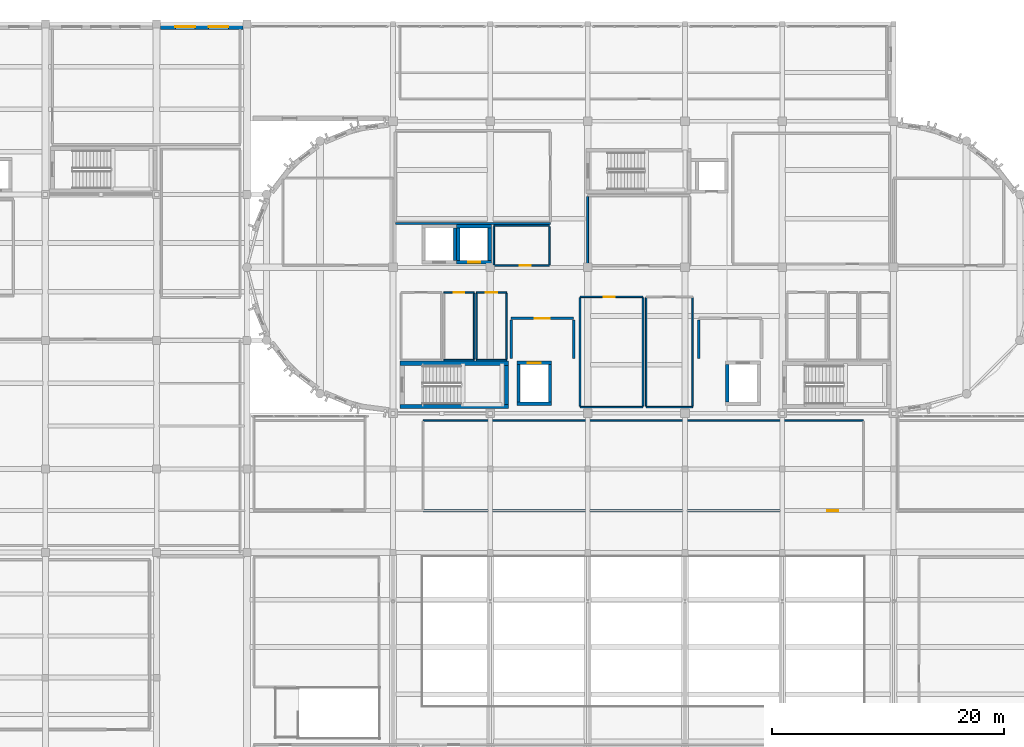
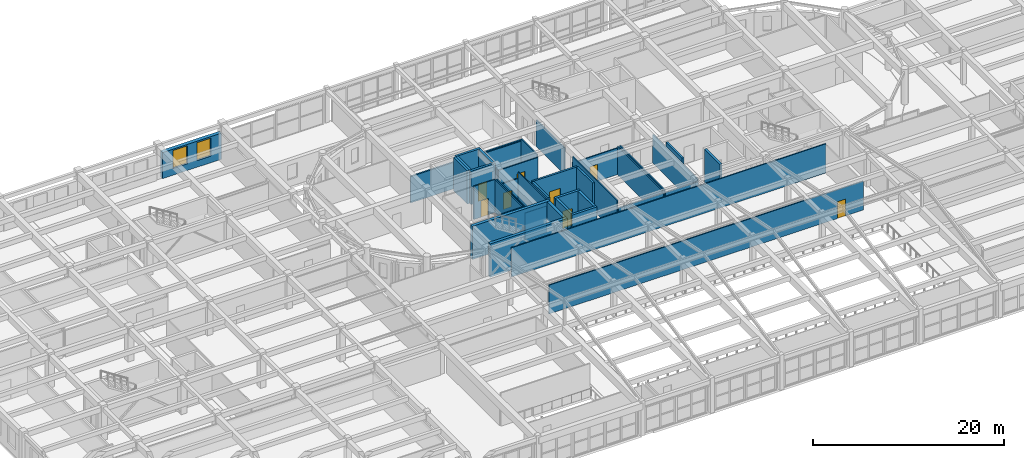
# One storey, part 70 of 91: 40 walls, 8 doors, 2 windows, 10 openings.
"""IFC4 building model written with IfcOpenShell, lengths in metres."""

import ifcopenshell
import ifcopenshell.guid

model = None  # the IFC model being written
_history = None  # IfcOwnerHistory: only IFC2X3 demands one
_inside = {}  # id of a spatial element -> (the spatial element, [elements in it])
_under = {}  # id of a project, library or spatial element -> (it, [spatial elements below it])
_declared = {}  # id of a project -> (the project, [libraries it declares])
_typed = {}  # id of a type object -> (the type object, [elements of that type])
_made_of = {}  # id of a material, layer set ... -> (it, [elements and type objects made of it])


def new_model(schema):
    """Start an empty IFC model of exactly this schema.

    Asked for "IFC4X3", IfcOpenShell would pick the latest addendum, in which some entities
    have other attributes; the version numbers below select the first issue.
    IFC2X3 requires an IfcOwnerHistory on every rooted entity: one is made here for all.
    """
    global model, _history
    if schema == "IFC4X3":
        model = ifcopenshell.file(schema_version=(4, 3, 0, 0))
    else:
        model = ifcopenshell.file(schema=schema)
    _inside.clear()
    _under.clear()
    _declared.clear()
    _typed.clear()
    _made_of.clear()
    _history = None
    if model.schema == "IFC2X3":
        org = make("IfcOrganization", Name="unknown")
        user = make(
            "IfcPersonAndOrganization",
            ThePerson=make("IfcPerson", FamilyName="unknown"),
            TheOrganization=org,
        )
        app = make(
            "IfcApplication",
            ApplicationDeveloper=org,
            Version="unknown",
            ApplicationFullName="unknown",
            ApplicationIdentifier="unknown",
        )
        _history = make(
            "IfcOwnerHistory",
            OwningUser=user,
            OwningApplication=app,
            ChangeAction="ADDED",
            CreationDate=0,
        )
    return model


def make(cls, **values):
    """One entity of the class cls with the attributes given. An attribute that is None is left unset."""
    return model.create_entity(
        cls, **{name: value for name, value in values.items() if value is not None}
    )


def rooted(cls, **values):
    """An entity with a GlobalId (a new one), such as an element, a storey or a relation."""
    return make(cls, GlobalId=ifcopenshell.guid.new(), OwnerHistory=_history, **values)


def si_unit(unit_type, name, prefix=None):
    """IfcSIUnit, for example si_unit("LENGTHUNIT", "METRE", prefix="MILLI")."""
    return make("IfcSIUnit", UnitType=unit_type, Prefix=prefix, Name=name)


def assignment(units):
    """IfcUnitAssignment: the units of a project."""
    return None if units is None else make("IfcUnitAssignment", Units=units)


def point(xyz):
    """IfcCartesianPoint."""
    return None if xyz is None else make("IfcCartesianPoint", Coordinates=xyz)


def direction(xyz):
    """IfcDirection."""
    return None if xyz is None else make("IfcDirection", DirectionRatios=xyz)


def frame(location, z_axis=None, x_axis=None):
    """IfcAxis2Placement3D, a coordinate frame: its origin and axes. An axis left out is left unset."""
    return make(
        "IfcAxis2Placement3D",
        Location=point(location),
        Axis=direction(z_axis),
        RefDirection=direction(x_axis),
    )


def frame_2d(location, x_axis=None):
    """IfcAxis2Placement2D, a coordinate frame in the plane: its origin and x axis."""
    return make(
        "IfcAxis2Placement2D", Location=point(location), RefDirection=direction(x_axis)
    )


def origin():
    """The frame at (0, 0, 0) with its axes left unset."""
    return frame((0.0, 0.0, 0.0))


def place(relative_to, where):
    """IfcLocalPlacement: puts the frame where relative to a parent placement (None: the world)."""
    return make(
        "IfcLocalPlacement", PlacementRelTo=relative_to, RelativePlacement=where
    )


def context(
    kind, dimensions, precision=None, world=None, true_north=None, identifier=None
):
    """IfcGeometricRepresentationContext, for example the 3D "Model" context."""
    return make(
        "IfcGeometricRepresentationContext",
        ContextIdentifier=identifier,
        ContextType=kind,
        CoordinateSpaceDimension=dimensions,
        Precision=precision,
        WorldCoordinateSystem=world,
        TrueNorth=true_north,
    )


def subcontext(parent, identifier, kind, view, scale=None):
    """IfcGeometricRepresentationSubContext, for example "Body" below "Model"."""
    return make(
        "IfcGeometricRepresentationSubContext",
        ContextIdentifier=identifier,
        ContextType=kind,
        ParentContext=parent,
        TargetScale=scale,
        TargetView=view,
    )


def project(units=None, contexts=None):
    """IfcProject with its units and contexts."""
    return rooted(
        "IfcProject",
        Name="project",
        RepresentationContexts=contexts,
        UnitsInContext=assignment(units),
    )


def spatial(cls, under=None, at=None, **own):
    """A site, building, storey or space (cls), placed at a placement, below another one or the project."""
    s = rooted(cls, ObjectPlacement=at, **own)
    if under is not None:
        _under.setdefault(under.id(), (under, []))[1].append(s)
    return s


def profile(cls, at=None, kind="AREA", **sizes):
    """A parametric profile (cls). Its sizes go by their IFC names, for example OverallWidth=200.0."""
    return make(cls, ProfileType=kind, Position=at, **sizes)


def rectangle(**sizes):
    """IfcRectangleProfileDef."""
    return profile("IfcRectangleProfileDef", **sizes)


def extrude(swept, where, along, depth):
    """IfcExtrudedAreaSolid: the profile swept, set in the frame where, extruded along a direction by depth."""
    return make(
        "IfcExtrudedAreaSolid",
        SweptArea=swept,
        Position=where,
        ExtrudedDirection=direction(along),
        Depth=depth,
    )


def shape(context_of_items, identifier, shape_type, items):
    """IfcShapeRepresentation: the items that make up one representation, for example the "Body"."""
    return make(
        "IfcShapeRepresentation",
        ContextOfItems=context_of_items,
        RepresentationIdentifier=identifier,
        RepresentationType=shape_type,
        Items=items,
    )


def material(Name=None, Category=None):
    """IfcMaterial."""
    return make("IfcMaterial", Name=Name, Category=Category)


def layer(
    of_material, thickness, ventilated=None, Name=None, Category=None, Priority=None
):
    """IfcMaterialLayer: one layer of a wall or slab, of a material (None: an air gap)."""
    return make(
        "IfcMaterialLayer",
        Material=of_material,
        LayerThickness=thickness,
        IsVentilated=ventilated,
        Name=Name,
        Category=Category,
        Priority=Priority,
    )


def layer_set(layers, Name=None):
    """IfcMaterialLayerSet."""
    return make("IfcMaterialLayerSet", MaterialLayers=layers, LayerSetName=Name)


def made_of(thing, what):
    """Note that an element or type object is made of a material, layer set ...; save() writes the relation."""
    if what is not None:
        _made_of.setdefault(what.id(), (what, []))[1].append(thing)
    return thing


def type_object(cls, material=None, **own):
    """A type object (cls), such as IfcWallType, which elements share."""
    return made_of(rooted(cls, **own), material)


def element(
    cls,
    number,
    at=None,
    inside=None,
    cuts=None,
    type_object=None,
    material=None,
    context=None,
    identifier="Body",
    shape_type=None,
    held_by="IfcProductDefinitionShape",
    body=None,
    shapes=None,
    **own,
):
    """One element of the class cls, such as IfcWall. Its Tag is "e" and its number.

    at: its placement. inside: the storey or other place that contains it. cuts: it is an
    opening in that element (IfcRelVoidsElement). A single representation is given by context,
    identifier, shape_type and body (its items); several are given by shapes. held_by: the class
    of the entity that holds the representations. save() writes the other relations.
    """
    e = rooted(cls, Tag="e%d" % number, ObjectPlacement=at, **own)
    if body is not None:
        shapes = [shape(context, identifier, shape_type, body)]
    if shapes is not None:
        e.Representation = make(held_by, Representations=shapes)
    if inside is not None:
        _inside.setdefault(inside.id(), (inside, []))[1].append(e)
    if cuts is not None:
        rooted(
            "IfcRelVoidsElement", RelatingBuildingElement=cuts, RelatedOpeningElement=e
        )
    if type_object is not None:
        _typed.setdefault(type_object.id(), (type_object, []))[1].append(e)
    return made_of(e, material)


def fill(opening, filler):
    """IfcRelFillsElement: the door or window that sits in an opening."""
    return rooted(
        "IfcRelFillsElement",
        RelatingOpeningElement=opening,
        RelatedBuildingElement=filler,
    )


def aggregate(whole, parts):
    """IfcRelAggregates: a whole, such as a stair, and the parts it consists of."""
    return rooted("IfcRelAggregates", RelatingObject=whole, RelatedObjects=parts)


def save(model, path):
    """Write the relations noted so far, then the file.

    IfcRelAggregates (storeys below a building ...), IfcRelContainedInSpatialStructure (elements
    in a storey), IfcRelDefinesByType, IfcRelAssociatesMaterial and IfcRelDeclares: one each for
    every whole, place, type object, material and project.
    """
    for whole, parts in _under.values():
        aggregate(whole, parts)
    for where, things in _inside.values():
        rooted(
            "IfcRelContainedInSpatialStructure",
            RelatedElements=things,
            RelatingStructure=where,
        )
    for kind, things in _typed.values():
        rooted("IfcRelDefinesByType", RelatedObjects=things, RelatingType=kind)
    for what, things in _made_of.values():
        rooted("IfcRelAssociatesMaterial", RelatedObjects=things, RelatingMaterial=what)
    for by, libraries in _declared.values():
        rooted("IfcRelDeclares", RelatingContext=by, RelatedDefinitions=libraries)
    model.write(path)


model = new_model("IFC4")

# Units and contexts
model_context = context("Model", 3, precision=1e-05, world=origin(), true_north=direction((0.0, 1.0)))
body_context = subcontext(model_context, "Body", "Model", "MODEL_VIEW")
ifc_project = project(units=[si_unit("LENGTHUNIT", "METRE"), si_unit("AREAUNIT", "SQUARE_METRE"), si_unit("VOLUMEUNIT", "CUBIC_METRE"), si_unit("PLANEANGLEUNIT", "RADIAN"), si_unit("MASSUNIT", "GRAM", prefix="KILO")], contexts=[model_context])

# Site, building, storey
site_placement = place(None, origin())
site = spatial("IfcSite", under=ifc_project, at=site_placement, CompositionType="ELEMENT")
building_placement = place(site_placement, origin())
building = spatial("IfcBuilding", under=site, at=building_placement, Name="Tarnavel Promenade Courthouse", CompositionType="ELEMENT")
storey_placement = place(building_placement, frame((0.0, 0.0, 9.89990234375)))
storey = spatial("IfcBuildingStorey", under=building, at=storey_placement, Name="L03", CompositionType="ELEMENT", Elevation=9.89990234375)

# Wall
ifc_material_1 = material(Name="Acoustic Insulated Gypsum Stud Partition", Category="gypsum")
ifc_layer_1 = layer(ifc_material_1, 0.1650390625)
ifc_layer_set_1 = layer_set([ifc_layer_1], Name="Acoustic Insulated Gypsum Stud Partition")
wall_type_1 = type_object("IfcWallType", Name="Acoustic Insulated Gypsum Stud Partition WL-CHM-165 (165 mm)", PredefinedType="PARTITIONING", material=ifc_layer_set_1)
wall_1_placement = place(storey_placement, frame((75.60009765625, 92.04248046875, 0.0), z_axis=(0.0, 0.0, 1.0), x_axis=(0.0, 1.0, 0.0)))
element("IfcWall", 1, at=wall_1_placement, inside=storey, type_object=wall_type_1, Name="L03 L03 Judicial Panel Deliberation Salon Partition 0534", PredefinedType="PARTITIONING", context=body_context, shape_type="SweptSolid", body=[
    extrude(rectangle(XDim=5.864990234375, YDim=0.1650390625, at=frame_2d((2.9326171875, 0.0))), origin(), (0.0, 0.0, 1.0), 3.380126953125),
])

# Wall, opening, door
ifc_material_2 = material(Name="Concrete C40/50", Category="concrete")
ifc_layer_2 = layer(ifc_material_2, 0.280029296875)
ifc_layer_set_2 = layer_set([ifc_layer_2], Name="Concrete C40/50")
wall_type_2 = type_object("IfcWallType", Name="Concrete C40/50 WL-SHR-280 (280 mm)", PredefinedType="SHEAR", material=ifc_layer_set_2)
wall_2_placement = place(storey_placement, frame((69.5, 83.56005859375, 0.0), z_axis=(0.0, 0.0, 1.0), x_axis=(1.0, 0.0, 0.0)))
wall_2 = element("IfcWall", 2, at=wall_2_placement, inside=storey, type_object=wall_type_2, Name="L03 L-FF1 Lift Shaft North Wall", PredefinedType="SHEAR", context=body_context, shape_type="SweptSolid", body=[
    extrude(rectangle(XDim=3.0, YDim=0.280029296875, at=frame_2d((1.5, 0.0))), origin(), (0.0, 0.0, 1.0), 4.25),
])
opening_1_placement = place(wall_2_placement, frame((0.949951171875, 0.0, 0.0)))
opening_1 = element("IfcOpeningElement", 3, at=opening_1_placement, cuts=wall_2, Name="Opening LD-01", PredefinedType="OPENING", context=body_context, shape_type="SweptSolid", body=[
    extrude(rectangle(XDim=1.10009765625, YDim=2.199951171875, at=frame_2d((0.550048828125, 1.10009765625))), frame((0.0, 0.14990234375, 0.0), z_axis=(0.0, -1.0, 0.0), x_axis=(1.0, 0.0, 0.0)), (0.0, 0.0, 1.0), 0.300048828125),
])
ifc_material_3 = material(Name="Stainless Steel Firefighting Lift Landing Sliding Door", Category="steel")
door_type_1 = type_object("IfcDoorType", Name="Stainless Steel Firefighting Lift Landing Sliding Door (LD-FF-1100x2200)", OperationType="NOTDEFINED", PredefinedType="DOOR", material=ifc_material_3)
door_1_placement = place(opening_1_placement, origin())
door_1 = element("IfcDoor", 4, at=door_1_placement, inside=storey, type_object=door_type_1, Name="L03 L-FF1 Lift Sliding Landing Door", OperationType="DOUBLE_DOOR_SLIDING", OverallHeight=2.199951171875, OverallWidth=1.10009765625, PredefinedType="DOOR", context=body_context, shape_type="SweptSolid", body=[
    extrude(rectangle(XDim=1.10009765625, YDim=2.199951171875, at=frame_2d((0.550048828125, 1.10009765625))), frame((0.0, 0.02490234375, 0.0), z_axis=(0.0, -1.0, 0.0), x_axis=(1.0, 0.0, 0.0)), (0.0, 0.0, 1.0), 0.050048828125),
])
fill(opening_1, door_1)

# Walls
wall_3_placement = place(storey_placement, frame((72.5, 80.0400390625, 0.0), z_axis=(0.0, 0.0, 1.0), x_axis=(-1.0, 0.0, 0.0)))
element("IfcWall", 5, at=wall_3_placement, inside=storey, type_object=wall_type_2, Name="L03 L-FF1 Lift Shaft South Wall", PredefinedType="SHEAR", context=body_context, shape_type="SweptSolid", body=[
    extrude(rectangle(XDim=3.0, YDim=0.280029296875, at=frame_2d((1.5, 0.0))), origin(), (0.0, 0.0, 1.0), 4.25),
])
for number, where, z_axis, x_axis, name in (
    (6, (69.639892578125, 80.179931640625, 0.0), (0.0, 0.0, 1.0), (0.0, 1.0, 0.0), "L03 L-FF1 Lift Shaft West Wall"),
    (7, (72.360107421875, 83.419921875, 0.0), (0.0, 0.0, 1.0), (0.0, -1.0, 0.0), "L03 L-FF1 Lift Shaft East Wall"),
    (8, (87.639892578125, 80.179931640625, 0.0), (0.0, 0.0, 1.0), (0.0, 1.0, 0.0), "L03 L-FF2 Lift Shaft West Wall"),
):
    element("IfcWall", number, at=place(storey_placement, frame(where, z_axis=z_axis, x_axis=x_axis)), inside=storey, type_object=wall_type_2, Name=name, PredefinedType="SHEAR", context=body_context, shape_type="SweptSolid", body=[
        extrude(rectangle(XDim=3.239990234375, YDim=0.280029296875, at=frame_2d((1.6201171875, 0.0))), origin(), (0.0, 0.0, 1.0), 4.25),
    ])
wall_4_placement = place(storey_placement, frame((64.159912109375, 95.219970703125, 0.0), z_axis=(0.0, 0.0, 1.0), x_axis=(0.0, -1.0, 0.0)))
element("IfcWall", 9, at=wall_4_placement, inside=storey, type_object=wall_type_2, Name="L03 L-PUB1 Lift Shaft East Wall", PredefinedType="SHEAR", context=body_context, shape_type="SweptSolid", body=[
    extrude(rectangle(XDim=2.840087890625, YDim=0.280029296875, at=frame_2d((1.419921875, 0.0))), origin(), (0.0, 0.0, 1.0), 4.25),
])
wall_5_placement = place(storey_placement, frame((64.300048828125, 95.360107421875, 0.0), z_axis=(0.0, 0.0, 1.0), x_axis=(1.0, 0.0, 0.0)))
element("IfcWall", 10, at=wall_5_placement, inside=storey, type_object=wall_type_2, Name="L03 L-PUB2 Lift Shaft North Wall", PredefinedType="SHEAR", context=body_context, shape_type="SweptSolid", body=[
    extrude(rectangle(XDim=3.0, YDim=0.280029296875, at=frame_2d((1.5, 0.0))), origin(), (0.0, 0.0, 1.0), 4.25),
])

# Wall, opening, door
wall_6_placement = place(storey_placement, frame((67.300048828125, 92.239990234375, 0.0), z_axis=(0.0, 0.0, 1.0), x_axis=(-1.0, 0.0, 0.0)))
wall_6 = element("IfcWall", 11, at=wall_6_placement, inside=storey, type_object=wall_type_2, Name="L03 L-PUB2 Lift Shaft South Wall", PredefinedType="SHEAR", context=body_context, shape_type="SweptSolid", body=[
    extrude(rectangle(XDim=3.0, YDim=0.280029296875, at=frame_2d((1.5, 0.0))), origin(), (0.0, 0.0, 1.0), 4.25),
])
opening_2_placement = place(wall_6_placement, frame((0.97509765625, 0.0, 0.0)))
opening_2 = element("IfcOpeningElement", 12, at=opening_2_placement, cuts=wall_6, Name="Opening LD-02", PredefinedType="OPENING", context=body_context, shape_type="SweptSolid", body=[
    extrude(rectangle(XDim=1.050048828125, YDim=2.199951171875, at=frame_2d((0.52490234375, 1.10009765625))), frame((0.0, 0.14990234375, 0.0), z_axis=(0.0, -1.0, 0.0), x_axis=(1.0, 0.0, 0.0)), (0.0, 0.0, 1.0), 0.300048828125),
])
ifc_material_4 = material(Name="Brushed Bronze Passenger Lift Landing Sliding Door")
door_type_2 = type_object("IfcDoorType", Name="Brushed Bronze Passenger Lift Landing Sliding Door (LD-PUB-1050x2200)", OperationType="NOTDEFINED", PredefinedType="DOOR", material=ifc_material_4)
door_2_placement = place(opening_2_placement, origin())
door_2 = element("IfcDoor", 13, at=door_2_placement, inside=storey, type_object=door_type_2, Name="L03 L-PUB2 Lift Sliding Landing Door", OperationType="DOUBLE_DOOR_SLIDING", OverallHeight=2.199951171875, OverallWidth=1.050048828125, PredefinedType="DOOR", context=body_context, shape_type="SweptSolid", body=[
    extrude(rectangle(XDim=1.050048828125, YDim=2.199951171875, at=frame_2d((0.52490234375, 1.10009765625))), frame((0.0, 0.02490234375, 0.0), z_axis=(0.0, -1.0, 0.0), x_axis=(1.0, 0.0, 0.0)), (0.0, 0.0, 1.0), 0.050048828125),
])
fill(opening_2, door_2)

# Walls
for number, where, z_axis, x_axis, name in (
    (14, (64.43994140625, 92.3798828125, 0.0), (0.0, 0.0, 1.0), (0.0, 1.0, 0.0), "L03 L-PUB2 Lift Shaft West Wall"),
    (15, (67.159912109375, 95.219970703125, 0.0), (0.0, 0.0, 1.0), (0.0, -1.0, 0.0), "L03 L-PUB2 Lift Shaft East Wall"),
):
    element("IfcWall", number, at=place(storey_placement, frame(where, z_axis=z_axis, x_axis=x_axis)), inside=storey, type_object=wall_type_2, Name=name, PredefinedType="SHEAR", context=body_context, shape_type="SweptSolid", body=[
        extrude(rectangle(XDim=2.840087890625, YDim=0.280029296875, at=frame_2d((1.419921875, 0.0))), origin(), (0.0, 0.0, 1.0), 4.25),
    ])
ifc_layer_3 = layer(ifc_material_2, 0.360107421875)
ifc_layer_set_3 = layer_set([ifc_layer_3], Name="Concrete C40/50")
wall_type_3 = type_object("IfcWallType", Name="Concrete C40/50 WL-SHR-360 (360 mm)", PredefinedType="SHEAR", material=ifc_layer_set_3)
for number, where, z_axis, x_axis, name in (
    (16, (59.419921875, 83.52001953125, 0.0), (0.0, 0.0, 1.0), (1.0, 0.0, 0.0), "L03 ST-01 Shear Core North Wall"),
    (17, (68.780029296875, 79.800048828125, 0.0), (0.0, 0.0, 1.0), (-1.0, 0.0, 0.0), "L03 ST-01 Shear Core South Wall"),
):
    element("IfcWall", number, at=place(storey_placement, frame(where, z_axis=z_axis, x_axis=x_axis)), inside=storey, type_object=wall_type_3, Name=name, PredefinedType="SHEAR", context=body_context, shape_type="SweptSolid", body=[
        extrude(rectangle(XDim=9.360107421875, YDim=0.360107421875, at=frame_2d((4.68017578125, 0.0))), origin(), (0.0, 0.0, 1.0), 4.25),
    ])
wall_7_placement = place(storey_placement, frame((68.60009765625, 83.340087890625, 0.0), z_axis=(0.0, 0.0, 1.0), x_axis=(0.0, -1.0, 0.0)))
element("IfcWall", 18, at=wall_7_placement, inside=storey, type_object=wall_type_3, Name="L03 ST-01 Shear Core East Wall", PredefinedType="SHEAR", context=body_context, shape_type="SweptSolid", body=[
    extrude(rectangle(XDim=3.360107421875, YDim=0.360107421875, at=frame_2d((1.68017578125, 0.0))), origin(), (0.0, 0.0, 1.0), 4.25),
])

# Wall, opening, door
ifc_material_5 = material(Name="Concrete Masonry Fire Compartment Wall", Category="masonry")
ifc_layer_4 = layer(ifc_material_5, 0.22998046875)
ifc_layer_set_4 = layer_set([ifc_layer_4], Name="Concrete Masonry Fire Compartment Wall")
wall_type_4 = type_object("IfcWallType", Name="Concrete Masonry Fire Compartment Wall WL-CMP-230 (230 mm)", PredefinedType="STANDARD", material=ifc_layer_set_4)
wall_8_placement = place(storey_placement, frame((69.0, 87.39990234375, 0.0), z_axis=(0.0, 0.0, 1.0), x_axis=(1.0, 0.0, 0.0)))
wall_8 = element("IfcWall", 19, at=wall_8_placement, inside=storey, type_object=wall_type_4, Name="L03 Firefighting Lobby L-FF1 Partition 0402", PredefinedType="STANDARD", context=body_context, shape_type="SweptSolid", body=[
    extrude(rectangle(XDim=5.39990234375, YDim=0.22998046875, at=frame_2d((2.699951171875, 0.0))), origin(), (0.0, 0.0, 1.0), 4.235107421875),
])
opening_3_placement = place(wall_8_placement, frame((2.050048828125, 0.0, 0.0)))
opening_3 = element("IfcOpeningElement", 20, at=opening_3_placement, cuts=wall_8, Name="Opening FD-03", PredefinedType="OPENING", context=body_context, shape_type="SweptSolid", body=[
    extrude(rectangle(XDim=1.300048828125, YDim=2.199951171875, at=frame_2d((0.64990234375, 1.10009765625))), frame((0.0, 0.125, 0.0), z_axis=(0.0, -1.0, 0.0), x_axis=(1.0, 0.0, 0.0)), (0.0, 0.0, 1.0), 0.25),
])
ifc_material_6 = material(Name="Smoke-Sealed Firefighting Lobby Fire Door")
door_type_3 = type_object("IfcDoorType", Name="Smoke-Sealed Firefighting Lobby Fire Door (DR-FFL-1300x2200)", OperationType="NOTDEFINED", PredefinedType="DOOR", material=ifc_material_6)
door_3_placement = place(opening_3_placement, origin())
door_3 = element("IfcDoor", 21, at=door_3_placement, inside=storey, type_object=door_type_3, Name="L03 Firefighting Lobby L-FF1 Door 0115", OperationType="SINGLE_SWING_LEFT", OverallHeight=2.199951171875, OverallWidth=1.300048828125, PredefinedType="DOOR", context=body_context, shape_type="SweptSolid", body=[
    extrude(rectangle(XDim=1.300048828125, YDim=2.199951171875, at=frame_2d((0.64990234375, 1.10009765625))), frame((0.0, 0.02490234375, 0.0), z_axis=(0.0, -1.0, 0.0), x_axis=(1.0, 0.0, 0.0)), (0.0, 0.0, 1.0), 0.050048828125),
])
fill(opening_3, door_3)

# Walls
for number, where, z_axis, x_axis, name in (
    (22, (69.0, 83.925048828125, 0.0), (0.0, 0.0, 1.0), (0.0, 1.0, 0.0), "L03 Firefighting Lobby L-FF1 Partition 0403"),
    (23, (74.39990234375, 87.27490234375, 0.0), (0.0, 0.0, 1.0), (0.0, -1.0, 0.0), "L03 Firefighting Lobby L-FF1 Partition 0404"),
):
    element("IfcWall", number, at=place(storey_placement, frame(where, z_axis=z_axis, x_axis=x_axis)), inside=storey, type_object=wall_type_4, Name=name, PredefinedType="STANDARD", context=body_context, shape_type="SweptSolid", body=[
        extrude(rectangle(XDim=3.349853515625, YDim=0.22998046875, at=frame_2d((1.6748046875, 0.0))), origin(), (0.0, 0.0, 1.0), 4.235107421875),
    ])
wall_9_placement = place(storey_placement, frame((85.199951171875, 83.925048828125, 0.0), z_axis=(0.0, 0.0, 1.0), x_axis=(0.0, 1.0, 0.0)))
element("IfcWall", 24, at=wall_9_placement, inside=storey, type_object=wall_type_4, Name="L03 Firefighting Lobby L-FF2 Partition 0406", PredefinedType="STANDARD", context=body_context, shape_type="SweptSolid", body=[
    extrude(rectangle(XDim=3.349853515625, YDim=0.22998046875, at=frame_2d((1.6748046875, 0.0))), origin(), (0.0, 0.0, 1.0), 3.630126953125),
])
ifc_material_7 = material(Name="Double-Stud Acoustic Courtroom Partition Assembly", Category="gypsum")
ifc_layer_5 = layer(ifc_material_7, 0.18505859375)
ifc_layer_set_5 = layer_set([ifc_layer_5], Name="Double-Stud Acoustic Courtroom Partition Assembly")
wall_type_5 = type_object("IfcWallType", Name="Double-Stud Acoustic Courtroom Partition Assembly WL-CRT-185 (185 mm)", PredefinedType="PARTITIONING", material=ifc_layer_set_5)
wall_10_placement = place(storey_placement, frame((72.39990234375, 95.60009765625, 0.0), z_axis=(0.0, 0.0, 1.0), x_axis=(-1.0, 0.0, 0.0)))
element("IfcWall", 25, at=wall_10_placement, inside=storey, type_object=wall_type_5, Name="L03 High Criminal Hearing Courtroom Partition 0525", PredefinedType="PARTITIONING", context=body_context, shape_type="SweptSolid", body=[
    extrude(rectangle(XDim=13.39990234375, YDim=0.18505859375, at=frame_2d((6.699951171875, 0.0))), origin(), (0.0, 0.0, 1.0), 3.380126953125),
])

# Wall, openings, windows
ifc_material_8 = material(Name="Limestone Ashlar Faced Insulated Brick Masonry", Category="masonry")
ifc_layer_6 = layer(ifc_material_8, 0.43994140625)
ifc_layer_set_6 = layer_set([ifc_layer_6], Name="Limestone Ashlar Faced Insulated Brick Masonry")
wall_type_6 = type_object("IfcWallType", Name="Limestone Ashlar Faced Insulated Brick Masonry WL-EXT-440 (440 mm)", PredefinedType="STANDARD", material=ifc_layer_set_6)
wall_11_placement = place(storey_placement, frame((38.741943359375, 112.56005859375, 0.0), z_axis=(0.0, 0.0, 1.0), x_axis=(1.0, 0.0, 0.0)))
wall_11 = element("IfcWall", 26, at=wall_11_placement, inside=storey, type_object=wall_type_6, Name="L03 Trial Wing North Ashlar Facade 0294", PredefinedType="STANDARD", context=body_context, shape_type="SweptSolid", body=[
    extrude(rectangle(XDim=7.115966796875, YDim=0.43994140625, at=frame_2d((3.55810546875, 0.0))), origin(), (0.0, 0.0, 1.0), 3.330078125),
])
opening_4_placement = place(wall_11_placement, frame((1.27294921875, 0.0, 0.85009765625)))
opening_4 = element("IfcOpeningElement", 27, at=opening_4_placement, cuts=wall_11, Name="Opening W-01", PredefinedType="OPENING", context=body_context, shape_type="SweptSolid", body=[
    extrude(rectangle(XDim=1.699951171875, YDim=2.300048828125, at=frame_2d((0.85009765625, 1.14990234375))), frame((0.0, 0.22998046875, 0.0), z_axis=(0.0, -1.0, 0.0), x_axis=(1.0, 0.0, 0.0)), (0.0, 0.0, 1.0), 0.4599609375),
])
opening_5_placement = place(wall_11_placement, frame((4.14306640625, 0.0, 0.85009765625)))
opening_5 = element("IfcOpeningElement", 28, at=opening_5_placement, cuts=wall_11, Name="Opening W-01", PredefinedType="OPENING", context=body_context, shape_type="SweptSolid", body=[
    extrude(rectangle(XDim=1.699951171875, YDim=2.300048828125, at=frame_2d((0.85009765625, 1.14990234375))), frame((0.0, 0.22998046875, 0.0), z_axis=(0.0, -1.0, 0.0), x_axis=(1.0, 0.0, 0.0)), (0.0, 0.0, 1.0), 0.4599609375),
])
ifc_material_9 = material(Name="Triple Low-E Glazed Bronze-Clad Window Assembly")
window_type = type_object("IfcWindowType", Name="Triple-Glazed Bronze-Clad Timber-Aluminium WIN-CRT-1700x2300", PartitioningType="SINGLE_PANEL", PredefinedType="WINDOW", material=ifc_material_9)
window_1_placement = place(opening_4_placement, origin())
window_1 = element("IfcWindow", 29, at=window_1_placement, inside=storey, type_object=window_type, Name="L03 Exterior Window 0285", OverallHeight=2.300048828125, OverallWidth=1.699951171875, PartitioningType="SINGLE_PANEL", PredefinedType="WINDOW", context=body_context, shape_type="SweptSolid", body=[
    extrude(rectangle(XDim=1.699951171875, YDim=2.300048828125, at=frame_2d((0.85009765625, 1.14990234375))), frame((0.0, 0.030029296875, 0.0), z_axis=(0.0, -1.0, 0.0), x_axis=(1.0, 0.0, 0.0)), (0.0, 0.0, 1.0), 0.06005859375),
])
fill(opening_4, window_1)
window_2_placement = place(opening_5_placement, origin())
window_2 = element("IfcWindow", 30, at=window_2_placement, inside=storey, type_object=window_type, Name="L03 Exterior Window 0286", OverallHeight=2.300048828125, OverallWidth=1.699951171875, PartitioningType="SINGLE_PANEL", PredefinedType="WINDOW", context=body_context, shape_type="SweptSolid", body=[
    extrude(rectangle(XDim=1.699951171875, YDim=2.300048828125, at=frame_2d((0.85009765625, 1.14990234375))), frame((0.0, 0.030029296875, 0.0), z_axis=(0.0, -1.0, 0.0), x_axis=(1.0, 0.0, 0.0)), (0.0, 0.0, 1.0), 0.06005859375),
])
fill(opening_5, window_2)

# Wall
ifc_material_10 = material(Name="Metal-Stud Acoustic Gypsum Partition", Category="gypsum")
ifc_layer_7 = layer(ifc_material_10, 0.135009765625)
ifc_layer_set_7 = layer_set([ifc_layer_7], Name="Metal-Stud Acoustic Gypsum Partition")
wall_type_7 = type_object("IfcWallType", Name="Metal-Stud Acoustic Gypsum Partition WL-OFF-135 (135 mm)", PredefinedType="PARTITIONING", material=ifc_layer_set_7)
wall_12_placement = place(storey_placement, frame((61.39990234375, 78.60009765625, 0.0), z_axis=(0.0, 0.0, 1.0), x_axis=(1.0, 0.0, 0.0)))
element("IfcWall", 31, at=wall_12_placement, inside=storey, type_object=wall_type_7, Name="L03 Upper Balcony Appellate Case Docket Registry Partition 0488", PredefinedType="PARTITIONING", context=body_context, shape_type="SweptSolid", body=[
    extrude(rectangle(XDim=38.0, YDim=0.135009765625, at=frame_2d((19.0, 0.0))), origin(), (0.0, 0.0, 1.0), 3.72998046875),
])

# Wall, opening, door
wall_13_placement = place(storey_placement, frame((99.39990234375, 70.800048828125, 0.0), z_axis=(0.0, 0.0, 1.0), x_axis=(-1.0, 0.0, 0.0)))
wall_13 = element("IfcWall", 32, at=wall_13_placement, inside=storey, type_object=wall_type_7, Name="L03 Upper Balcony Appellate Case Docket Registry Partition 0489", PredefinedType="PARTITIONING", context=body_context, shape_type="SweptSolid", body=[
    extrude(rectangle(XDim=38.0, YDim=0.135009765625, at=frame_2d((19.0, 0.0))), origin(), (0.0, 0.0, 1.0), 3.68017578125),
])
opening_6_placement = place(wall_13_placement, frame((2.16748046875, 0.0, 0.0)))
opening_6 = element("IfcOpeningElement", 33, at=opening_6_placement, cuts=wall_13, Name="Opening ID-06", PredefinedType="OPENING", context=body_context, shape_type="SweptSolid", body=[
    extrude(rectangle(XDim=0.949951171875, YDim=2.14990234375, at=frame_2d((0.47509765625, 1.074951171875))), frame((0.0, 0.077392578125, 0.0), z_axis=(0.0, -1.0, 0.0), x_axis=(1.0, 0.0, 0.0)), (0.0, 0.0, 1.0), 0.155029296875),
])
ifc_material_11 = material(Name="Acoustic Timber Veneer Office Door", Category="wood")
door_type_4 = type_object("IfcDoorType", Name="Acoustic Timber Veneer Office Door (DR-OFF-0950x2150)", OperationType="NOTDEFINED", PredefinedType="DOOR", material=ifc_material_11)
door_4_placement = place(opening_6_placement, origin())
door_4 = element("IfcDoor", 34, at=door_4_placement, inside=storey, type_object=door_type_4, Name="L03 Upper Balcony Appellate Case Docket Registry Door 0140", OperationType="SINGLE_SWING_RIGHT", OverallHeight=2.14990234375, OverallWidth=0.949951171875, PredefinedType="DOOR", context=body_context, shape_type="SweptSolid", body=[
    extrude(rectangle(XDim=0.949951171875, YDim=2.14990234375, at=frame_2d((0.47509765625, 1.074951171875))), frame((0.0, 0.02490234375, 0.0), z_axis=(0.0, -1.0, 0.0), x_axis=(1.0, 0.0, 0.0)), (0.0, 0.0, 1.0), 0.050048828125),
])
fill(opening_6, door_4)

# Wall
wall_14_placement = place(storey_placement, frame((67.5, 95.39990234375, 0.0), z_axis=(0.0, 0.0, 1.0), x_axis=(1.0, 0.0, 0.0)))
element("IfcWall", 35, at=wall_14_placement, inside=storey, type_object=wall_type_7, Name="L03 L03 Judicial Case Clerks' Room Partition 0528", PredefinedType="PARTITIONING", context=body_context, shape_type="SweptSolid", body=[
    extrude(rectangle(XDim=4.800048828125, YDim=0.135009765625, at=frame_2d((2.39990234375, 0.0))), origin(), (0.0, 0.0, 1.0), 3.380126953125),
])

# Wall, opening, door
wall_15_placement = place(storey_placement, frame((72.300048828125, 91.949951171875, 0.0), z_axis=(0.0, 0.0, 1.0), x_axis=(-1.0, 0.0, 0.0)))
wall_15 = element("IfcWall", 36, at=wall_15_placement, inside=storey, type_object=wall_type_7, Name="L03 L03 Judicial Case Clerks' Room Partition 0529", PredefinedType="PARTITIONING", context=body_context, shape_type="SweptSolid", body=[
    extrude(rectangle(XDim=4.800048828125, YDim=0.135009765625, at=frame_2d((2.39990234375, 0.0))), origin(), (0.0, 0.0, 1.0), 3.380126953125),
])
opening_7_placement = place(wall_15_placement, frame((1.610107421875, 0.0, 0.0)))
opening_7 = element("IfcOpeningElement", 37, at=opening_7_placement, cuts=wall_15, Name="Opening ID-06", PredefinedType="OPENING", context=body_context, shape_type="SweptSolid", body=[
    extrude(rectangle(XDim=0.949951171875, YDim=2.14990234375, at=frame_2d((0.47509765625, 1.074951171875))), frame((0.0, 0.077392578125, 0.0), z_axis=(0.0, -1.0, 0.0), x_axis=(1.0, 0.0, 0.0)), (0.0, 0.0, 1.0), 0.155029296875),
])
door_5_placement = place(opening_7_placement, origin())
door_5 = element("IfcDoor", 38, at=door_5_placement, inside=storey, type_object=door_type_4, Name="L03 L03 Judicial Case Clerks' Room Door 0152", OperationType="SINGLE_SWING_LEFT", OverallHeight=2.14990234375, OverallWidth=0.949951171875, PredefinedType="DOOR", context=body_context, shape_type="SweptSolid", body=[
    extrude(rectangle(XDim=0.949951171875, YDim=2.14990234375, at=frame_2d((0.47509765625, 1.074951171875))), frame((0.0, 0.02490234375, 0.0), z_axis=(0.0, -1.0, 0.0), x_axis=(1.0, 0.0, 0.0)), (0.0, 0.0, 1.0), 0.050048828125),
])
fill(opening_7, door_5)

# Walls
wall_16_placement = place(storey_placement, frame((67.5, 92.027587890625, 0.0), z_axis=(0.0, 0.0, 1.0), x_axis=(0.0, 1.0, 0.0)))
element("IfcWall", 39, at=wall_16_placement, inside=storey, type_object=wall_type_7, Name="L03 L03 Judicial Case Clerks' Room Partition 0530", PredefinedType="PARTITIONING", context=body_context, shape_type="SweptSolid", body=[
    extrude(rectangle(XDim=3.294921875, YDim=0.135009765625, at=frame_2d((1.6474609375, 0.0))), origin(), (0.0, 0.0, 1.0), 3.380126953125),
])
wall_17_placement = place(storey_placement, frame((72.300048828125, 95.322509765625, 0.0), z_axis=(0.0, 0.0, 1.0), x_axis=(0.0, -1.0, 0.0)))
element("IfcWall", 40, at=wall_17_placement, inside=storey, type_object=wall_type_7, Name="L03 L03 Judicial Case Clerks' Room Partition 0531", PredefinedType="PARTITIONING", context=body_context, shape_type="SweptSolid", body=[
    extrude(rectangle(XDim=3.294921875, YDim=0.135009765625, at=frame_2d((1.6474609375, 0.0))), origin(), (0.0, 0.0, 1.0), 3.68017578125),
])

# Wall, opening, door
wall_18_placement = place(storey_placement, frame((74.93994140625, 89.260009765625, 0.0), z_axis=(0.0, 0.0, 1.0), x_axis=(1.0, 0.0, 0.0)))
wall_18 = element("IfcWall", 41, at=wall_18_placement, inside=storey, type_object=wall_type_7, Name="L03 Prosecutors' Case Preparation Suite Partition 0540", PredefinedType="PARTITIONING", context=body_context, shape_type="SweptSolid", body=[
    extrude(rectangle(XDim=5.43408203125, YDim=0.135009765625, at=frame_2d((2.717041015625, 0.0))), origin(), (0.0, 0.0, 1.0), 3.380126953125),
])
opening_8_placement = place(wall_18_placement, frame((2.052734375, 0.0, 0.0)))
opening_8 = element("IfcOpeningElement", 42, at=opening_8_placement, cuts=wall_18, Name="Opening ID-06", PredefinedType="OPENING", context=body_context, shape_type="SweptSolid", body=[
    extrude(rectangle(XDim=0.949951171875, YDim=2.14990234375, at=frame_2d((0.47509765625, 1.074951171875))), frame((0.0, 0.077392578125, 0.0), z_axis=(0.0, -1.0, 0.0), x_axis=(1.0, 0.0, 0.0)), (0.0, 0.0, 1.0), 0.155029296875),
])
door_6_placement = place(opening_8_placement, origin())
door_6 = element("IfcDoor", 43, at=door_6_placement, inside=storey, type_object=door_type_4, Name="L03 Prosecutors' Case Preparation Suite Door 0155", OperationType="SINGLE_SWING_RIGHT", OverallHeight=2.14990234375, OverallWidth=0.949951171875, PredefinedType="DOOR", context=body_context, shape_type="SweptSolid", body=[
    extrude(rectangle(XDim=0.949951171875, YDim=2.14990234375, at=frame_2d((0.47509765625, 1.074951171875))), frame((0.0, 0.02490234375, 0.0), z_axis=(0.0, -1.0, 0.0), x_axis=(1.0, 0.0, 0.0)), (0.0, 0.0, 1.0), 0.050048828125),
])
fill(opening_8, door_6)

# Walls
wall_19_placement = place(storey_placement, frame((80.3740234375, 79.739990234375, 0.0), z_axis=(0.0, 0.0, 1.0), x_axis=(-1.0, 0.0, 0.0)))
element("IfcWall", 44, at=wall_19_placement, inside=storey, type_object=wall_type_7, Name="L03 Prosecutors' Case Preparation Suite Partition 0541", PredefinedType="PARTITIONING", context=body_context, shape_type="SweptSolid", body=[
    extrude(rectangle(XDim=5.43408203125, YDim=0.135009765625, at=frame_2d((2.717041015625, 0.0))), origin(), (0.0, 0.0, 1.0), 3.380126953125),
])
wall_20_placement = place(storey_placement, frame((74.93994140625, 79.8173828125, 0.0), z_axis=(0.0, 0.0, 1.0), x_axis=(0.0, 1.0, 0.0)))
element("IfcWall", 45, at=wall_20_placement, inside=storey, type_object=wall_type_7, Name="L03 Prosecutors' Case Preparation Suite Partition 0542", PredefinedType="PARTITIONING", context=body_context, shape_type="SweptSolid", body=[
    extrude(rectangle(XDim=9.365234375, YDim=0.135009765625, at=frame_2d((4.6826171875, 0.0))), origin(), (0.0, 0.0, 1.0), 4.235107421875),
])
wall_21_placement = place(storey_placement, frame((80.3740234375, 89.1826171875, 0.0), z_axis=(0.0, 0.0, 1.0), x_axis=(0.0, -1.0, 0.0)))
element("IfcWall", 46, at=wall_21_placement, inside=storey, type_object=wall_type_7, Name="L03 Prosecutors' Case Preparation Suite Partition 0543", PredefinedType="PARTITIONING", context=body_context, shape_type="SweptSolid", body=[
    extrude(rectangle(XDim=9.365234375, YDim=0.135009765625, at=frame_2d((4.6826171875, 0.0))), origin(), (0.0, 0.0, 1.0), 3.630126953125),
])
wall_22_placement = place(storey_placement, frame((84.659912109375, 79.739990234375, 0.0), z_axis=(0.0, 0.0, 1.0), x_axis=(-1.0, 0.0, 0.0)))
element("IfcWall", 47, at=wall_22_placement, inside=storey, type_object=wall_type_7, Name="L03 Public Defenders' Suite Partition 0545", PredefinedType="PARTITIONING", context=body_context, shape_type="SweptSolid", body=[
    extrude(rectangle(XDim=4.005859375, YDim=0.135009765625, at=frame_2d((2.0029296875, 0.0))), origin(), (0.0, 0.0, 1.0), 3.380126953125),
])
for number, where, z_axis, x_axis, name in (
    (48, (80.654052734375, 79.8173828125, 0.0), (0.0, 0.0, 1.0), (0.0, 1.0, 0.0), "L03 Public Defenders' Suite Partition 0546"),
    (49, (84.659912109375, 89.1826171875, 0.0), (0.0, 0.0, 1.0), (0.0, -1.0, 0.0), "L03 Public Defenders' Suite Partition 0547"),
):
    element("IfcWall", number, at=place(storey_placement, frame(where, z_axis=z_axis, x_axis=x_axis)), inside=storey, type_object=wall_type_7, Name=name, PredefinedType="PARTITIONING", context=body_context, shape_type="SweptSolid", body=[
        extrude(rectangle(XDim=9.365234375, YDim=0.135009765625, at=frame_2d((4.6826171875, 0.0))), origin(), (0.0, 0.0, 1.0), 3.630126953125),
    ])

# Wall, opening, door
ifc_material_12 = material(Name="Moisture-Resistant Tile-Backed Stud Partition", Category="gypsum")
ifc_layer_8 = layer(ifc_material_12, 0.125)
ifc_layer_set_8 = layer_set([ifc_layer_8], Name="Moisture-Resistant Tile-Backed Stud Partition")
wall_type_8 = type_object("IfcWallType", Name="Moisture-Resistant Tile-Backed Stud Partition WL-WET-125 (125 mm)", PredefinedType="PARTITIONING", material=ifc_layer_set_8)
wall_23_placement = place(storey_placement, frame((63.199951171875, 89.64990234375, 0.0), z_axis=(0.0, 0.0, 1.0), x_axis=(1.0, 0.0, 0.0)))
wall_23 = element("IfcWall", 50, at=wall_23_placement, inside=storey, type_object=wall_type_8, Name="L03 Public WC Partition 0408", PredefinedType="PARTITIONING", context=body_context, shape_type="SweptSolid", body=[
    extrude(rectangle(XDim=2.60009765625, YDim=0.125, at=frame_2d((1.300048828125, 0.0))), origin(), (0.0, 0.0, 1.0), 4.235107421875),
])
opening_9_placement = place(wall_23_placement, frame((0.85009765625, 0.0, 0.0)))
opening_9 = element("IfcOpeningElement", 51, at=opening_9_placement, cuts=wall_23, Name="Opening ID-08", PredefinedType="OPENING", context=body_context, shape_type="SweptSolid", body=[
    extrude(rectangle(XDim=0.89990234375, YDim=2.10009765625, at=frame_2d((0.449951171875, 1.050048828125))), frame((0.0, 0.072509765625, 0.0), z_axis=(0.0, -1.0, 0.0), x_axis=(1.0, 0.0, 0.0)), (0.0, 0.0, 1.0), 0.14501953125),
])
ifc_material_13 = material(Name="Moisture-Resistant Laminate Restroom Door")
door_type_5 = type_object("IfcDoorType", Name="Moisture-Resistant Laminate Restroom Door (DR-WC-0900x2100)", OperationType="NOTDEFINED", PredefinedType="DOOR", material=ifc_material_13)
door_7_placement = place(opening_9_placement, origin())
door_7 = element("IfcDoor", 52, at=door_7_placement, inside=storey, type_object=door_type_5, Name="L03 Public WC Door 0117", OperationType="SINGLE_SWING_LEFT", OverallHeight=2.10009765625, OverallWidth=0.89990234375, PredefinedType="DOOR", context=body_context, shape_type="SweptSolid", body=[
    extrude(rectangle(XDim=0.89990234375, YDim=2.10009765625, at=frame_2d((0.449951171875, 1.050048828125))), frame((0.0, 0.02490234375, 0.0), z_axis=(0.0, -1.0, 0.0), x_axis=(1.0, 0.0, 0.0)), (0.0, 0.0, 1.0), 0.050048828125),
])
fill(opening_9, door_7)

# Walls
wall_24_placement = place(storey_placement, frame((65.800048828125, 83.800048828125, 0.0), z_axis=(0.0, 0.0, 1.0), x_axis=(-1.0, 0.0, 0.0)))
element("IfcWall", 53, at=wall_24_placement, inside=storey, type_object=wall_type_8, Name="L03 Public WC Partition 0409", PredefinedType="PARTITIONING", context=body_context, shape_type="SweptSolid", body=[
    extrude(rectangle(XDim=2.60009765625, YDim=0.125, at=frame_2d((1.300048828125, 0.0))), origin(), (0.0, 0.0, 1.0), 4.235107421875),
])
wall_25_placement = place(storey_placement, frame((65.800048828125, 89.577392578125, 0.0), z_axis=(0.0, 0.0, 1.0), x_axis=(0.0, -1.0, 0.0)))
element("IfcWall", 54, at=wall_25_placement, inside=storey, type_object=wall_type_8, Name="L03 Public WC Partition 0411", PredefinedType="PARTITIONING", context=body_context, shape_type="SweptSolid", body=[
    extrude(rectangle(XDim=5.704833984375, YDim=0.125, at=frame_2d((2.8525390625, 0.0))), origin(), (0.0, 0.0, 1.0), 4.235107421875),
])

# Wall, opening, door
wall_26_placement = place(storey_placement, frame((66.0, 89.64990234375, 0.0), z_axis=(0.0, 0.0, 1.0), x_axis=(1.0, 0.0, 0.0)))
wall_26 = element("IfcWall", 55, at=wall_26_placement, inside=storey, type_object=wall_type_8, Name="L03 Accessible WC Partition 0412", PredefinedType="PARTITIONING", context=body_context, shape_type="SweptSolid", body=[
    extrude(rectangle(XDim=2.60009765625, YDim=0.125, at=frame_2d((1.300048828125, 0.0))), origin(), (0.0, 0.0, 1.0), 3.380126953125),
])
opening_10_placement = place(wall_26_placement, frame((0.800048828125, 0.0, 0.0)))
opening_10 = element("IfcOpeningElement", 56, at=opening_10_placement, cuts=wall_26, Name="Opening ID-09", PredefinedType="OPENING", context=body_context, shape_type="SweptSolid", body=[
    extrude(rectangle(XDim=1.0, YDim=2.10009765625, at=frame_2d((0.5, 1.050048828125))), frame((0.0, 0.072509765625, 0.0), z_axis=(0.0, -1.0, 0.0), x_axis=(1.0, 0.0, 0.0)), (0.0, 0.0, 1.0), 0.14501953125),
])
ifc_material_14 = material(Name="Wide Accessible Restroom Outward Door")
door_type_6 = type_object("IfcDoorType", Name="Wide Accessible Restroom Outward Door (DR-AWC-1000x2100)", OperationType="NOTDEFINED", PredefinedType="DOOR", material=ifc_material_14)
door_8_placement = place(opening_10_placement, origin())
door_8 = element("IfcDoor", 57, at=door_8_placement, inside=storey, type_object=door_type_6, Name="L03 Accessible WC Door 0118", OperationType="SINGLE_SWING_RIGHT", OverallHeight=2.10009765625, OverallWidth=1.0, PredefinedType="DOOR", context=body_context, shape_type="SweptSolid", body=[
    extrude(rectangle(XDim=1.0, YDim=2.10009765625, at=frame_2d((0.5, 1.050048828125))), frame((0.0, 0.02490234375, 0.0), z_axis=(0.0, -1.0, 0.0), x_axis=(1.0, 0.0, 0.0)), (0.0, 0.0, 1.0), 0.050048828125),
])
fill(opening_10, door_8)

# Walls
wall_27_placement = place(storey_placement, frame((68.60009765625, 83.800048828125, 0.0), z_axis=(0.0, 0.0, 1.0), x_axis=(-1.0, 0.0, 0.0)))
element("IfcWall", 58, at=wall_27_placement, inside=storey, type_object=wall_type_8, Name="L03 Accessible WC Partition 0413", PredefinedType="PARTITIONING", context=body_context, shape_type="SweptSolid", body=[
    extrude(rectangle(XDim=2.60009765625, YDim=0.125, at=frame_2d((1.300048828125, 0.0))), origin(), (0.0, 0.0, 1.0), 3.380126953125),
])
for number, where, z_axis, x_axis, name in (
    (59, (66.0, 83.87255859375, 0.0), (0.0, 0.0, 1.0), (0.0, 1.0, 0.0), "L03 Accessible WC Partition 0414"),
    (60, (68.60009765625, 89.577392578125, 0.0), (0.0, 0.0, 1.0), (0.0, -1.0, 0.0), "L03 Accessible WC Partition 0415"),
):
    element("IfcWall", number, at=place(storey_placement, frame(where, z_axis=z_axis, x_axis=x_axis)), inside=storey, type_object=wall_type_8, Name=name, PredefinedType="PARTITIONING", context=body_context, shape_type="SweptSolid", body=[
        extrude(rectangle(XDim=5.704833984375, YDim=0.125, at=frame_2d((2.8525390625, 0.0))), origin(), (0.0, 0.0, 1.0), 4.235107421875),
    ])

save(model, "model.ifc")
